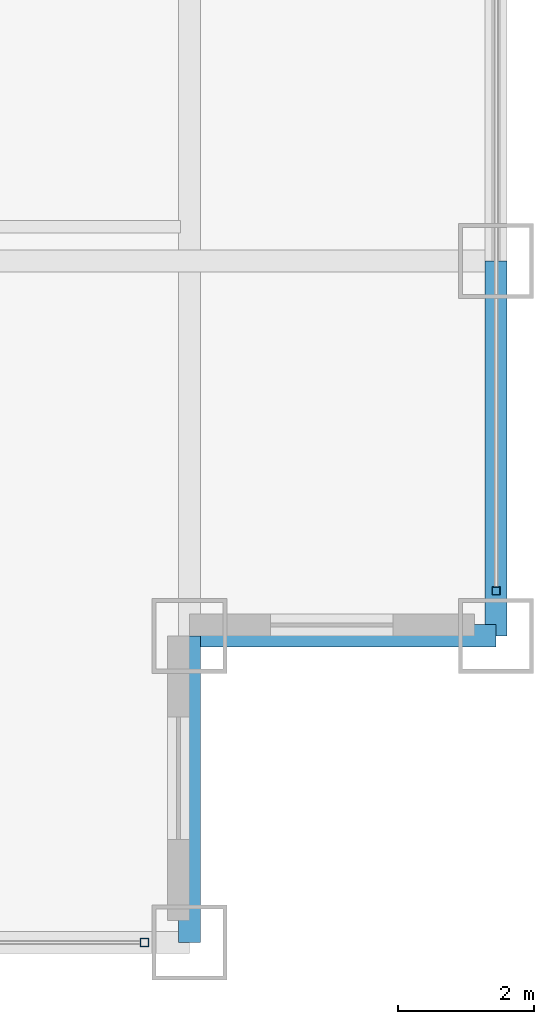
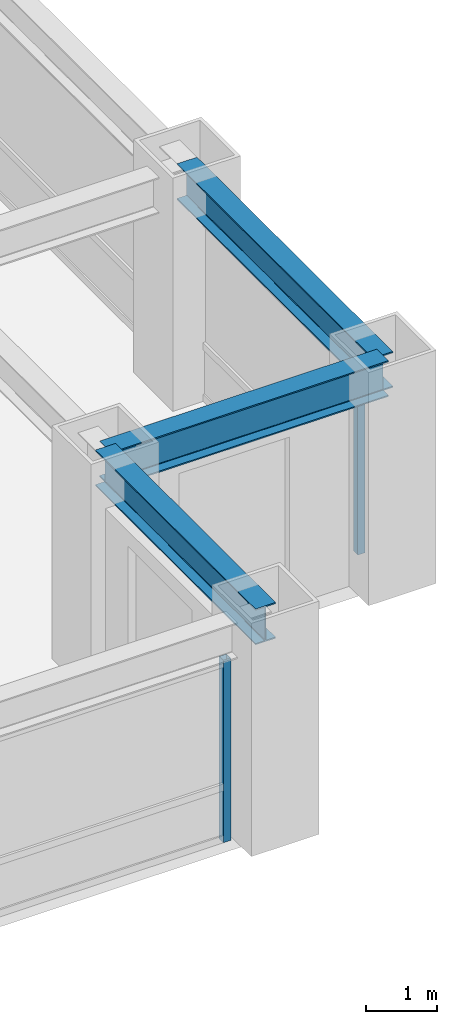
# One storey, part 8 of 24: 3 beams, 2 members, 2 elements without a shape of their own.
"""IFC4 building model written with IfcOpenShell, lengths in metres."""

from ifc_helpers import new_model, si_unit, direction, frame, origin, origin_2d, place, context, subcontext, project, spatial, hollow_rectangle, i_section, extrude, source, transform, mapped, material, material_profile, profile_set, type_object, element, aggregate, save


model = new_model("IFC4")

# Units and contexts
model_context = context("Model", 3, precision=1e-05, world=origin(), true_north=direction((0.0, 1.0)))
body_context = subcontext(model_context, "Body", "Model", "MODEL_VIEW")
ifc_project = project(units=[si_unit("LENGTHUNIT", "METRE"), si_unit("AREAUNIT", "SQUARE_METRE"), si_unit("VOLUMEUNIT", "CUBIC_METRE"), si_unit("PLANEANGLEUNIT", "RADIAN"), si_unit("MASSUNIT", "GRAM", prefix="KILO")], contexts=[model_context])

# Site, building, storey
site_placement = place(None, origin())
site = spatial("IfcSite", under=ifc_project, at=site_placement, CompositionType="ELEMENT")
building_placement = place(site_placement, origin())
building = spatial("IfcBuilding", under=site, at=building_placement, Name="Khorayat Bourse Tower", CompositionType="ELEMENT")
storey_placement = place(building_placement, frame((0.0, 0.0, 171.10009765625)))
storey = spatial("IfcBuildingStorey", under=building, at=storey_placement, Name="L39", CompositionType="ELEMENT", Elevation=171.10009765625)

# Beams
ifc_material_1 = material(Name="Steel ASTM A992 Grade 50", Category="steel")
ifc_material_profile_1 = material_profile(ifc_material_1, i_section(OverallWidth=0.324951171875, OverallDepth=0.615966796875, WebThickness=0.013916015625, FlangeThickness=0.021484375, FilletRadius=0.01611328125, at=origin_2d()), Name="W610X174")
ifc_profile_set_1 = profile_set([ifc_material_profile_1], Name="Steel ASTM A992 Grade 50")
beam_type = type_object("IfcBeamType", Name="BM-SPAN-610", PredefinedType="SPANDREL", material=ifc_profile_set_1)
shared_shape_1 = source(origin(), body_context, "Body", "SweptSolid", [
    extrude(i_section(OverallWidth=0.324951171875, OverallDepth=0.615966796875, WebThickness=0.013916015625, FlangeThickness=0.021484375, FilletRadius=0.01611328125, at=origin_2d()), origin(), (0.0, 0.0, 1.0), 5.5),
])
beam_placement = place(storey_placement, frame((30.0, -25.5, 3.471923828125), z_axis=(0.0, 1.0, 0.0), x_axis=(-1.0, 0.0, 0.0)))
element("IfcBeam", 1, at=beam_placement, inside=storey, type_object=beam_type, Name="L39 BM-SPAN-610 BM-L39-SPN-034", PredefinedType="SPANDREL", context=body_context, shape_type="MappedRepresentation", body=[
    mapped(shared_shape_1, transform((0.0, 0.0, 0.0), scale=1.0)),
])
shared_shape_2 = source(origin(), body_context, "Body", "SweptSolid", [
    extrude(i_section(OverallWidth=0.324951171875, OverallDepth=0.615966796875, WebThickness=0.013916015625, FlangeThickness=0.021484375, FilletRadius=0.01611328125, at=origin_2d()), origin(), (0.0, 0.0, 1.0), 4.5),
])
for number, where, z_axis, x_axis, name in (
    (2, (25.5, -30.0, 3.471923828125), (0.0, 1.0, 0.0), (-1.0, 0.0, 0.0), "L39 BM-SPAN-610 BM-L39-SPN-032"),
    (3, (25.5, -25.5, 3.471923828125), (1.0, 0.0, 0.0), (0.0, 1.0, 0.0), "L39 BM-SPAN-610 BM-L39-SPN-033"),
):
    element("IfcBeam", number, at=place(storey_placement, frame(where, z_axis=z_axis, x_axis=x_axis)), inside=storey, type_object=beam_type, Name=name, PredefinedType="SPANDREL", context=body_context, shape_type="MappedRepresentation", body=[
        mapped(shared_shape_2, transform((0.0, 0.0, 0.0), scale=1.0)),
    ])

# Curtain wall, member
ifc_material_2 = material(Name="Aluminium EN AW-6063 T6", Category="aluminium")
curtain_wall_type = type_object("IfcCurtainWallType", Name="CW-SYS-03", PredefinedType="NOTDEFINED", material=ifc_material_2)
curtain_wall_1_placement = place(storey_placement, origin())
curtain_wall_1 = element("IfcCurtainWall", 4, at=curtain_wall_1_placement, inside=storey, type_object=curtain_wall_type, Name="L39 Curtain Wall CW-L39-S1", PredefinedType="NOTDEFINED")
ifc_material_profile_2 = material_profile(ifc_material_2, hollow_rectangle(XDim=0.1201171875, YDim=0.1201171875, WallThickness=0.0048828125, at=origin_2d()), Name="ALU 120x120x5")
ifc_profile_set_2 = profile_set([ifc_material_profile_2], Name="Aluminium EN AW-6063 T6")
member_type = type_object("IfcMemberType", Name="CWM-VERT-120", PredefinedType="MULLION", material=ifc_profile_set_2)
shared_shape_3 = source(origin(), body_context, "Body", "SweptSolid", [
    extrude(hollow_rectangle(XDim=0.1201171875, YDim=0.1201171875, WallThickness=0.0048828125, at=origin_2d()), origin(), (0.0, 0.0, 1.0), 3.1298828125),
])
member_1_placement = place(storey_placement, frame((24.840087890625, -30.0, 0.0), z_axis=(0.0, 0.0, 1.0), x_axis=(0.0, 1.0, 0.0)))
member_1 = element("IfcMember", 5, at=member_1_placement, type_object=member_type, Name="CW-L39-S1 Vertical Mullion 3", PredefinedType="MULLION", context=body_context, shape_type="MappedRepresentation", body=[
    mapped(shared_shape_3, transform((0.0, 0.0, 0.0), scale=1.0)),
])
aggregate(curtain_wall_1, [member_1])

curtain_wall_2_placement = place(storey_placement, origin())
curtain_wall_2 = element("IfcCurtainWall", 6, at=curtain_wall_2_placement, inside=storey, type_object=curtain_wall_type, Name="L39 Curtain Wall CW-L39-E1", PredefinedType="NOTDEFINED")
member_2_placement = place(storey_placement, frame((30.0, -24.840087890625, 0.0), z_axis=(0.0, 0.0, 1.0), x_axis=(-1.0, 0.0, 0.0)))
member_2 = element("IfcMember", 7, at=member_2_placement, type_object=member_type, Name="CW-L39-E1 Vertical Mullion 1", PredefinedType="MULLION", context=body_context, shape_type="MappedRepresentation", body=[
    mapped(shared_shape_3, transform((0.0, 0.0, 0.0), scale=1.0)),
])
aggregate(curtain_wall_2, [member_2])

save(model, "model.ifc")
